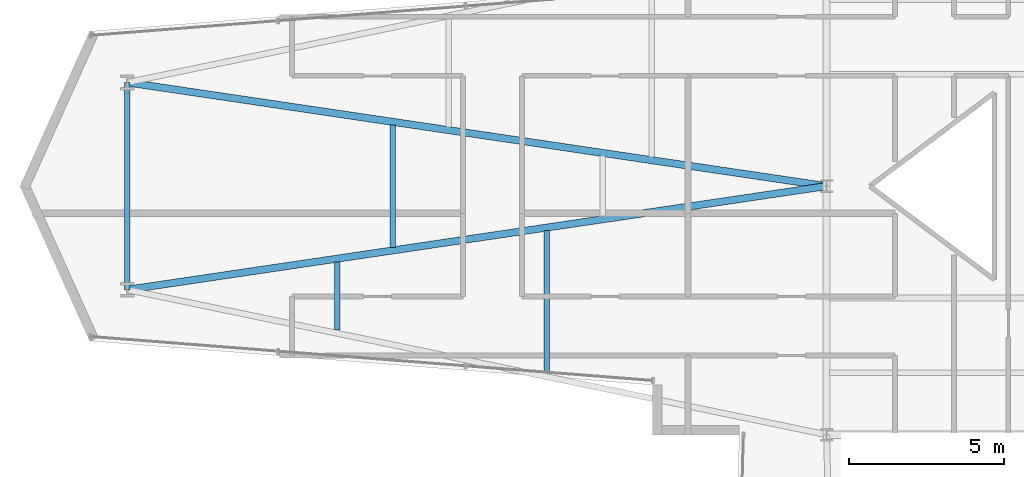
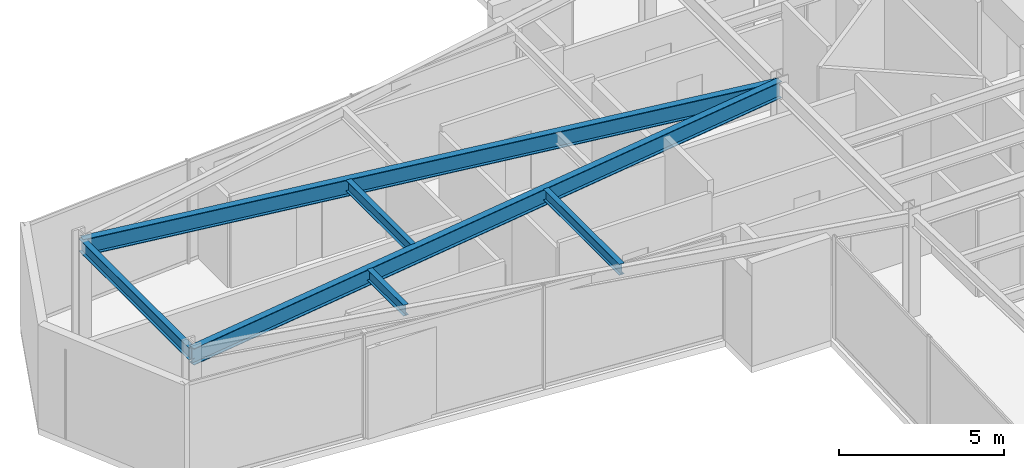
# One storey, part 8 of 29: 6 beams.
"""IFC4 building model written with IfcOpenShell, lengths in metres."""

import ifcopenshell
import ifcopenshell.guid

model = None  # the IFC model being written
_history = None  # IfcOwnerHistory: only IFC2X3 demands one
_inside = {}  # id of a spatial element -> (the spatial element, [elements in it])
_under = {}  # id of a project, library or spatial element -> (it, [spatial elements below it])
_declared = {}  # id of a project -> (the project, [libraries it declares])
_typed = {}  # id of a type object -> (the type object, [elements of that type])
_made_of = {}  # id of a material, layer set ... -> (it, [elements and type objects made of it])


def new_model(schema):
    """Start an empty IFC model of exactly this schema.

    Asked for "IFC4X3", IfcOpenShell would pick the latest addendum, in which some entities
    have other attributes; the version numbers below select the first issue.
    IFC2X3 requires an IfcOwnerHistory on every rooted entity: one is made here for all.
    """
    global model, _history
    if schema == "IFC4X3":
        model = ifcopenshell.file(schema_version=(4, 3, 0, 0))
    else:
        model = ifcopenshell.file(schema=schema)
    _inside.clear()
    _under.clear()
    _declared.clear()
    _typed.clear()
    _made_of.clear()
    _history = None
    if model.schema == "IFC2X3":
        org = make("IfcOrganization", Name="unknown")
        user = make(
            "IfcPersonAndOrganization",
            ThePerson=make("IfcPerson", FamilyName="unknown"),
            TheOrganization=org,
        )
        app = make(
            "IfcApplication",
            ApplicationDeveloper=org,
            Version="unknown",
            ApplicationFullName="unknown",
            ApplicationIdentifier="unknown",
        )
        _history = make(
            "IfcOwnerHistory",
            OwningUser=user,
            OwningApplication=app,
            ChangeAction="ADDED",
            CreationDate=0,
        )
    return model


def make(cls, **values):
    """One entity of the class cls with the attributes given. An attribute that is None is left unset."""
    return model.create_entity(
        cls, **{name: value for name, value in values.items() if value is not None}
    )


def rooted(cls, **values):
    """An entity with a GlobalId (a new one), such as an element, a storey or a relation."""
    return make(cls, GlobalId=ifcopenshell.guid.new(), OwnerHistory=_history, **values)


def si_unit(unit_type, name, prefix=None):
    """IfcSIUnit, for example si_unit("LENGTHUNIT", "METRE", prefix="MILLI")."""
    return make("IfcSIUnit", UnitType=unit_type, Prefix=prefix, Name=name)


def assignment(units):
    """IfcUnitAssignment: the units of a project."""
    return None if units is None else make("IfcUnitAssignment", Units=units)


def point(xyz):
    """IfcCartesianPoint."""
    return None if xyz is None else make("IfcCartesianPoint", Coordinates=xyz)


def direction(xyz):
    """IfcDirection."""
    return None if xyz is None else make("IfcDirection", DirectionRatios=xyz)


def frame(location, z_axis=None, x_axis=None):
    """IfcAxis2Placement3D, a coordinate frame: its origin and axes. An axis left out is left unset."""
    return make(
        "IfcAxis2Placement3D",
        Location=point(location),
        Axis=direction(z_axis),
        RefDirection=direction(x_axis),
    )


def frame_2d(location, x_axis=None):
    """IfcAxis2Placement2D, a coordinate frame in the plane: its origin and x axis."""
    return make(
        "IfcAxis2Placement2D", Location=point(location), RefDirection=direction(x_axis)
    )


def origin():
    """The frame at (0, 0, 0) with its axes left unset."""
    return frame((0.0, 0.0, 0.0))


def origin_2d():
    """The frame at (0, 0) in the plane with its x axis left unset."""
    return frame_2d((0.0, 0.0))


def place(relative_to, where):
    """IfcLocalPlacement: puts the frame where relative to a parent placement (None: the world)."""
    return make(
        "IfcLocalPlacement", PlacementRelTo=relative_to, RelativePlacement=where
    )


def context(
    kind, dimensions, precision=None, world=None, true_north=None, identifier=None
):
    """IfcGeometricRepresentationContext, for example the 3D "Model" context."""
    return make(
        "IfcGeometricRepresentationContext",
        ContextIdentifier=identifier,
        ContextType=kind,
        CoordinateSpaceDimension=dimensions,
        Precision=precision,
        WorldCoordinateSystem=world,
        TrueNorth=true_north,
    )


def subcontext(parent, identifier, kind, view, scale=None):
    """IfcGeometricRepresentationSubContext, for example "Body" below "Model"."""
    return make(
        "IfcGeometricRepresentationSubContext",
        ContextIdentifier=identifier,
        ContextType=kind,
        ParentContext=parent,
        TargetScale=scale,
        TargetView=view,
    )


def project(units=None, contexts=None):
    """IfcProject with its units and contexts."""
    return rooted(
        "IfcProject",
        Name="project",
        RepresentationContexts=contexts,
        UnitsInContext=assignment(units),
    )


def spatial(cls, under=None, at=None, **own):
    """A site, building, storey or space (cls), placed at a placement, below another one or the project."""
    s = rooted(cls, ObjectPlacement=at, **own)
    if under is not None:
        _under.setdefault(under.id(), (under, []))[1].append(s)
    return s


def profile(cls, at=None, kind="AREA", **sizes):
    """A parametric profile (cls). Its sizes go by their IFC names, for example OverallWidth=200.0."""
    return make(cls, ProfileType=kind, Position=at, **sizes)


def i_section(**sizes):
    """IfcIShapeProfileDef."""
    return profile("IfcIShapeProfileDef", **sizes)


def extrude(swept, where, along, depth):
    """IfcExtrudedAreaSolid: the profile swept, set in the frame where, extruded along a direction by depth."""
    return make(
        "IfcExtrudedAreaSolid",
        SweptArea=swept,
        Position=where,
        ExtrudedDirection=direction(along),
        Depth=depth,
    )


def shape(context_of_items, identifier, shape_type, items):
    """IfcShapeRepresentation: the items that make up one representation, for example the "Body"."""
    return make(
        "IfcShapeRepresentation",
        ContextOfItems=context_of_items,
        RepresentationIdentifier=identifier,
        RepresentationType=shape_type,
        Items=items,
    )


def material(Name=None, Category=None):
    """IfcMaterial."""
    return make("IfcMaterial", Name=Name, Category=Category)


def material_profile(
    of_material, cross_section, Name=None, Category=None, Priority=None
):
    """IfcMaterialProfile: a cross section and its material."""
    return make(
        "IfcMaterialProfile",
        Name=Name,
        Material=of_material,
        Profile=cross_section,
        Priority=Priority,
        Category=Category,
    )


def profile_set(profiles, Name=None, composite=None):
    """IfcMaterialProfileSet."""
    return make(
        "IfcMaterialProfileSet",
        Name=Name,
        MaterialProfiles=profiles,
        CompositeProfile=composite,
    )


def made_of(thing, what):
    """Note that an element or type object is made of a material, layer set ...; save() writes the relation."""
    if what is not None:
        _made_of.setdefault(what.id(), (what, []))[1].append(thing)
    return thing


def type_object(cls, material=None, **own):
    """A type object (cls), such as IfcWallType, which elements share."""
    return made_of(rooted(cls, **own), material)


def element(
    cls,
    number,
    at=None,
    inside=None,
    cuts=None,
    type_object=None,
    material=None,
    context=None,
    identifier="Body",
    shape_type=None,
    held_by="IfcProductDefinitionShape",
    body=None,
    shapes=None,
    **own,
):
    """One element of the class cls, such as IfcWall. Its Tag is "e" and its number.

    at: its placement. inside: the storey or other place that contains it. cuts: it is an
    opening in that element (IfcRelVoidsElement). A single representation is given by context,
    identifier, shape_type and body (its items); several are given by shapes. held_by: the class
    of the entity that holds the representations. save() writes the other relations.
    """
    e = rooted(cls, Tag="e%d" % number, ObjectPlacement=at, **own)
    if body is not None:
        shapes = [shape(context, identifier, shape_type, body)]
    if shapes is not None:
        e.Representation = make(held_by, Representations=shapes)
    if inside is not None:
        _inside.setdefault(inside.id(), (inside, []))[1].append(e)
    if cuts is not None:
        rooted(
            "IfcRelVoidsElement", RelatingBuildingElement=cuts, RelatedOpeningElement=e
        )
    if type_object is not None:
        _typed.setdefault(type_object.id(), (type_object, []))[1].append(e)
    return made_of(e, material)


def aggregate(whole, parts):
    """IfcRelAggregates: a whole, such as a stair, and the parts it consists of."""
    return rooted("IfcRelAggregates", RelatingObject=whole, RelatedObjects=parts)


def save(model, path):
    """Write the relations noted so far, then the file.

    IfcRelAggregates (storeys below a building ...), IfcRelContainedInSpatialStructure (elements
    in a storey), IfcRelDefinesByType, IfcRelAssociatesMaterial and IfcRelDeclares: one each for
    every whole, place, type object, material and project.
    """
    for whole, parts in _under.values():
        aggregate(whole, parts)
    for where, things in _inside.values():
        rooted(
            "IfcRelContainedInSpatialStructure",
            RelatedElements=things,
            RelatingStructure=where,
        )
    for kind, things in _typed.values():
        rooted("IfcRelDefinesByType", RelatedObjects=things, RelatingType=kind)
    for what, things in _made_of.values():
        rooted("IfcRelAssociatesMaterial", RelatedObjects=things, RelatingMaterial=what)
    for by, libraries in _declared.values():
        rooted("IfcRelDeclares", RelatingContext=by, RelatedDefinitions=libraries)
    model.write(path)


model = new_model("IFC4")

# Units and contexts
model_context = context("Model", 3, precision=1e-05, world=origin(), true_north=direction((0.0, 1.0)))
body_context = subcontext(model_context, "Body", "Model", "MODEL_VIEW")
ifc_project = project(units=[si_unit("LENGTHUNIT", "METRE"), si_unit("AREAUNIT", "SQUARE_METRE"), si_unit("VOLUMEUNIT", "CUBIC_METRE"), si_unit("PLANEANGLEUNIT", "RADIAN"), si_unit("MASSUNIT", "GRAM", prefix="KILO")], contexts=[model_context])

# Site, building, storey
site_placement = place(None, origin())
site = spatial("IfcSite", under=ifc_project, at=site_placement, CompositionType="ELEMENT")
building_placement = place(site_placement, origin())
building = spatial("IfcBuilding", under=site, at=building_placement, Name="Veymaron Broadcast Tower", CompositionType="ELEMENT")
storey_placement = place(building_placement, frame((0.0, 0.0, 62.10009765625)))
storey = spatial("IfcBuildingStorey", under=building, at=storey_placement, Name="L13", CompositionType="ELEMENT", Elevation=62.10009765625)

# Beams
ifc_material = material(Name="Structural steel ASTM A992 Gr 50", Category="steel")
ifc_material_profile_1 = material_profile(ifc_material, i_section(OverallWidth=0.22998046875, OverallDepth=0.616943359375, WebThickness=0.01318359375, FlangeThickness=0.022216796875, at=origin_2d()), Name="W610X140")
ifc_profile_set_1 = profile_set([ifc_material_profile_1], Name="Structural steel ASTM A992 Gr 50")
beam_type_1 = type_object("IfcBeamType", Name="BM-FG1", PredefinedType="BEAM", material=ifc_profile_set_1)
for number, where, z_axis, x_axis, name in (
    (1, (8.697021484375, 20.6650390625, 3.50146484375), (0.989195854941, 0.146600001937, 0.0), (-0.146600001937, 0.989195854941, 0.0), "L13 primary structural floor girder"),
    (2, (8.697021484375, 27.3349609375, 3.50146484375), (0.989195854941, -0.146600001937, 0.0), (0.146600001937, 0.989195854941, 0.0), "L13 primary structural floor girder"),
):
    element("IfcBeam", number, at=place(storey_placement, frame(where, z_axis=z_axis, x_axis=x_axis)), inside=storey, type_object=beam_type_1, Name=name, PredefinedType="BEAM", context=body_context, shape_type="SweptSolid", body=[
        extrude(i_section(OverallWidth=0.22998046875, OverallDepth=0.616943359375, WebThickness=0.01318359375, FlangeThickness=0.022216796875, at=origin_2d()), origin(), (0.0, 0.0, 1.0), 22.748779296875),
    ])
ifc_material_profile_2 = material_profile(ifc_material, i_section(OverallWidth=0.177978515625, OverallDepth=0.406982421875, WebThickness=0.0078125, FlangeThickness=0.0126953125, at=origin_2d()), Name="W410X60")
ifc_profile_set_2 = profile_set([ifc_material_profile_2], Name="Structural steel ASTM A992 Gr 50")
beam_type_2 = type_object("IfcBeamType", Name="BM-JS1", PredefinedType="JOIST", material=ifc_profile_set_2)
beam_1_placement = place(storey_placement, frame((15.447998046875, 19.365478515625, 3.6064453125), z_axis=(0.0, 1.0, 0.0), x_axis=(-1.0, 0.0, 0.0)))
element("IfcBeam", 3, at=beam_1_placement, inside=storey, type_object=beam_type_2, Name="L13 Arm-A secondary joist 1S", PredefinedType="JOIST", context=body_context, shape_type="SweptSolid", body=[
    extrude(i_section(OverallWidth=0.177978515625, OverallDepth=0.406982421875, WebThickness=0.0078125, FlangeThickness=0.0126953125, at=origin_2d()), origin(), (0.0, 0.0, 1.0), 2.199951171875),
])
beam_2_placement = place(storey_placement, frame((17.248046875, 22.0322265625, 3.6064453125), z_axis=(0.0, 1.0, 0.0), x_axis=(-1.0, 0.0, 0.0)))
element("IfcBeam", 4, at=beam_2_placement, inside=storey, type_object=beam_type_2, Name="L13 Arm-A secondary joist 1M", PredefinedType="JOIST", context=body_context, shape_type="SweptSolid", body=[
    extrude(i_section(OverallWidth=0.177978515625, OverallDepth=0.406982421875, WebThickness=0.0078125, FlangeThickness=0.0126953125, at=origin_2d()), origin(), (0.0, 0.0, 1.0), 3.935546875),
])
beam_3_placement = place(storey_placement, frame((22.19873046875, 17.966064453125, 3.6064453125), z_axis=(0.0, 1.0, 0.0), x_axis=(-1.0, 0.0, 0.0)))
element("IfcBeam", 5, at=beam_3_placement, inside=storey, type_object=beam_type_2, Name="L13 Arm-A secondary joist 2S", PredefinedType="JOIST", context=body_context, shape_type="SweptSolid", body=[
    extrude(i_section(OverallWidth=0.177978515625, OverallDepth=0.406982421875, WebThickness=0.0078125, FlangeThickness=0.0126953125, at=origin_2d()), origin(), (0.0, 0.0, 1.0), 4.599853515625),
])
ifc_material_profile_3 = material_profile(ifc_material, i_section(OverallWidth=0.19091796875, OverallDepth=0.4599609375, WebThickness=0.010009765625, FlangeThickness=0.01611328125, at=origin_2d()), Name="W460X82")
ifc_profile_set_3 = profile_set([ifc_material_profile_3], Name="Structural steel ASTM A992 Gr 50")
beam_type_3 = type_object("IfcBeamType", Name="BM-SP1", PredefinedType="SPANDREL", material=ifc_profile_set_3)
beam_4_placement = place(storey_placement, frame((8.697021484375, 20.6650390625, 3.579833984375), z_axis=(0.0, 1.0, 0.0), x_axis=(-1.0, 0.0, 0.0)))
element("IfcBeam", 6, at=beam_4_placement, inside=storey, type_object=beam_type_3, Name="L13 primary structural floor girder", PredefinedType="SPANDREL", context=body_context, shape_type="SweptSolid", body=[
    extrude(i_section(OverallWidth=0.19091796875, OverallDepth=0.4599609375, WebThickness=0.010009765625, FlangeThickness=0.01611328125, at=origin_2d()), origin(), (0.0, 0.0, 1.0), 6.669921875),
])

save(model, "model.ifc")
